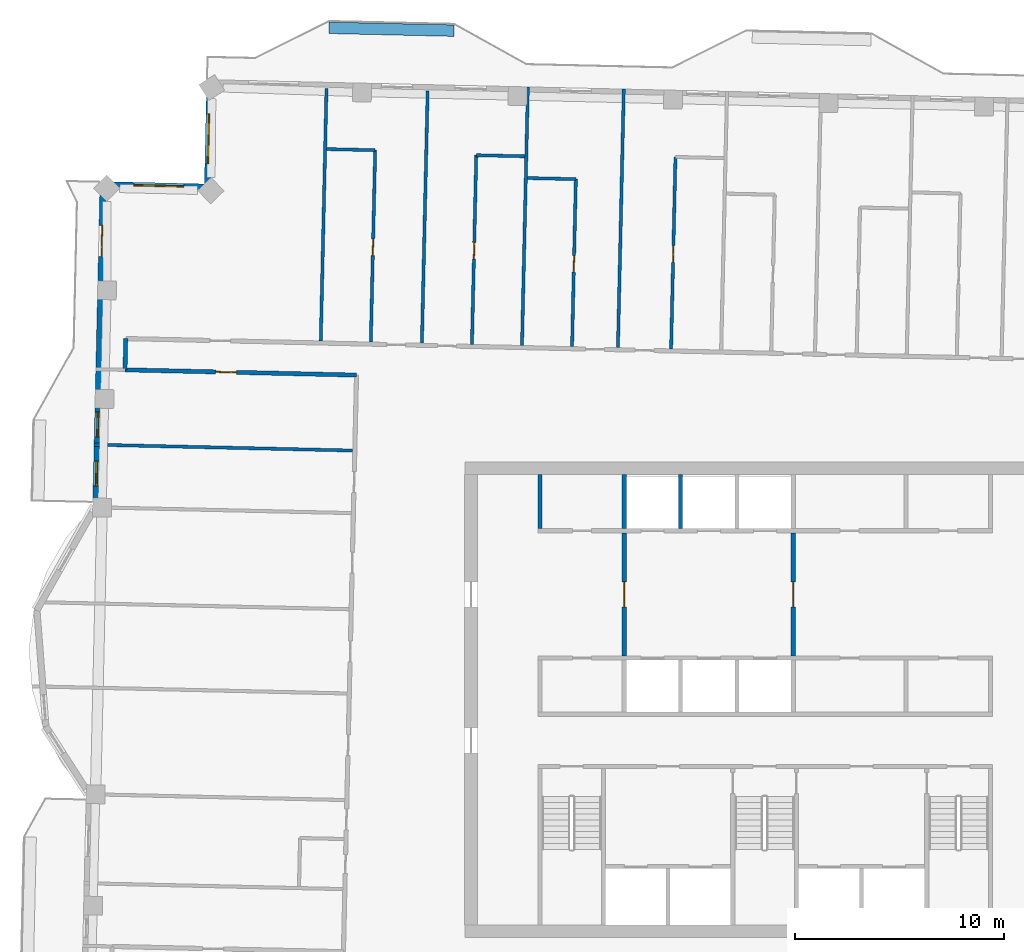
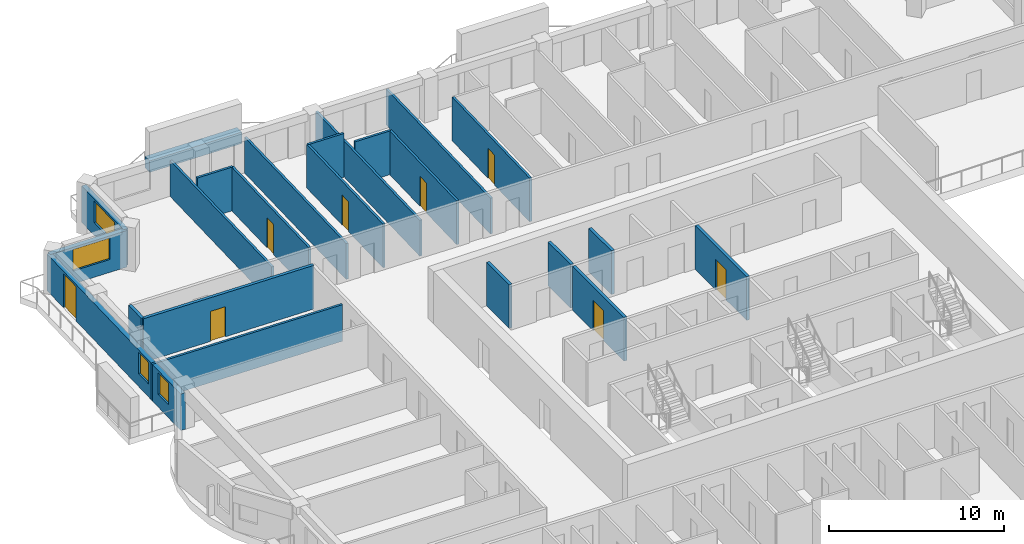
# One storey, part 8 of 15: 23 walls, 8 doors, 4 windows, 12 openings.
"""IFC4 building model written with IfcOpenShell, lengths in metres."""

from ifc_helpers import new_model, si_unit, direction, frame, frame_2d, origin, place, context, subcontext, project, spatial, rectangle, extrude, material, layer, layer_set, type_object, element, fill, save


model = new_model("IFC4")

# Units and contexts
model_context = context("Model", 3, precision=1e-05, world=origin(), true_north=direction((0.0, 1.0)))
body_context = subcontext(model_context, "Body", "Model", "MODEL_VIEW")
ifc_project = project(units=[si_unit("LENGTHUNIT", "METRE"), si_unit("AREAUNIT", "SQUARE_METRE"), si_unit("VOLUMEUNIT", "CUBIC_METRE"), si_unit("PLANEANGLEUNIT", "RADIAN"), si_unit("MASSUNIT", "GRAM", prefix="KILO")], contexts=[model_context])

# Site, building, storey
site_placement = place(None, origin())
site = spatial("IfcSite", under=ifc_project, at=site_placement, CompositionType="ELEMENT")
building_placement = place(site_placement, origin())
building = spatial("IfcBuilding", under=site, at=building_placement, Name="Mangrove Gate Tower", CompositionType="ELEMENT")
storey_placement = place(building_placement, frame((0.0, 0.0, 309.699951171875)))
storey = spatial("IfcBuildingStorey", under=building, at=storey_placement, Name="L79", CompositionType="ELEMENT", Elevation=309.699951171875)

# Wall, opening, door
ifc_material_1 = material(Name="Concrete C32/40", Category="concrete")
ifc_layer_1 = layer(ifc_material_1, 0.199951171875)
ifc_layer_set_1 = layer_set([ifc_layer_1], Name="Core lobby wall 200 C32/40")
wall_type_1 = type_object("IfcWallType", Name="Core lobby wall 200 C32/40", PredefinedType="STANDARD", material=ifc_layer_set_1)
wall_1_placement = place(storey_placement, frame((-6.75, 2.10009765625, 0.0), z_axis=(0.0, 0.0, 1.0), x_axis=(0.0, 1.0, 0.0)))
wall_1 = element("IfcWall", 1, at=wall_1_placement, inside=storey, type_object=wall_type_1, Name="WALL-L79-CORE-33", PredefinedType="STANDARD", context=body_context, shape_type="SweptSolid", body=[
    extrude(rectangle(XDim=5.89990234375, YDim=0.199951171875, at=frame_2d((2.949951171875, 0.0))), origin(), (0.0, 0.0, 1.0), 3.050048828125),
])
opening_1_placement = place(wall_1_placement, frame((2.35009765625, 0.0, 0.0)))
opening_1 = element("IfcOpeningElement", 2, at=opening_1_placement, cuts=wall_1, Name="Opening FL12", PredefinedType="OPENING", context=body_context, shape_type="SweptSolid", body=[
    extrude(rectangle(XDim=1.199951171875, YDim=2.10009765625, at=frame_2d((0.60009765625, 1.050048828125))), frame((0.0, 0.10986328125, 0.0), z_axis=(0.0, -1.0, 0.0), x_axis=(1.0, 0.0, 0.0)), (0.0, 0.0, 1.0), 0.219970703125),
])
ifc_material_2 = material(Name="Fire-rated steel door set", Category="steel")
door_type_1 = type_object("IfcDoorType", Name="Lobby door FD60 1200x2100", OperationType="SINGLE_SWING_LEFT", PredefinedType="DOOR", material=ifc_material_2)
door_1_placement = place(opening_1_placement, origin())
door_1 = element("IfcDoor", 3, at=door_1_placement, inside=storey, type_object=door_type_1, Name="Lobby door lift lobby partition", OperationType="SINGLE_SWING_LEFT", OverallHeight=2.10009765625, OverallWidth=1.199951171875, PredefinedType="DOOR", context=body_context, shape_type="SweptSolid", body=[
    extrude(rectangle(XDim=1.199951171875, YDim=2.10009765625, at=frame_2d((0.60009765625, 1.050048828125))), frame((0.0, 0.02490234375, 0.0), z_axis=(0.0, -1.0, 0.0), x_axis=(1.0, 0.0, 0.0)), (0.0, 0.0, 1.0), 0.050048828125),
])
fill(opening_1, door_1)

wall_2_placement = place(storey_placement, frame((1.35009765625, 2.10009765625, 0.0), z_axis=(0.0, 0.0, 1.0), x_axis=(0.0, 1.0, 0.0)))
wall_2 = element("IfcWall", 4, at=wall_2_placement, inside=storey, type_object=wall_type_1, Name="WALL-L79-CORE-34", PredefinedType="STANDARD", context=body_context, shape_type="SweptSolid", body=[
    extrude(rectangle(XDim=5.89990234375, YDim=0.199951171875, at=frame_2d((2.949951171875, 0.0))), origin(), (0.0, 0.0, 1.0), 3.050048828125),
])
opening_2_placement = place(wall_2_placement, frame((2.35009765625, 0.0, 0.0)))
opening_2 = element("IfcOpeningElement", 5, at=opening_2_placement, cuts=wall_2, Name="Opening FL12", PredefinedType="OPENING", context=body_context, shape_type="SweptSolid", body=[
    extrude(rectangle(XDim=1.199951171875, YDim=2.10009765625, at=frame_2d((0.60009765625, 1.050048828125))), frame((0.0, 0.10986328125, 0.0), z_axis=(0.0, -1.0, 0.0), x_axis=(1.0, 0.0, 0.0)), (0.0, 0.0, 1.0), 0.219970703125),
])
door_2_placement = place(opening_2_placement, origin())
door_2 = element("IfcDoor", 6, at=door_2_placement, inside=storey, type_object=door_type_1, Name="Lobby door lift lobby partition", OperationType="SINGLE_SWING_LEFT", OverallHeight=2.10009765625, OverallWidth=1.199951171875, PredefinedType="DOOR", context=body_context, shape_type="SweptSolid", body=[
    extrude(rectangle(XDim=1.199951171875, YDim=2.10009765625, at=frame_2d((0.60009765625, 1.050048828125))), frame((0.0, 0.02490234375, 0.0), z_axis=(0.0, -1.0, 0.0), x_axis=(1.0, 0.0, 0.0)), (0.0, 0.0, 1.0), 0.050048828125),
])
fill(opening_2, door_2)

# Walls
ifc_material_3 = material(Name="Concrete C32/40", Category="concrete")
ifc_layer_2 = layer(ifc_material_3, 0.199951171875)
ifc_layer_set_2 = layer_set([ifc_layer_2], Name="Core room wall 200 C32/40")
wall_type_2 = type_object("IfcWallType", Name="Core room wall 200 C32/40", PredefinedType="STANDARD", material=ifc_layer_set_2)
wall_3_placement = place(storey_placement, frame((-10.800048828125, 8.199951171875, 0.0), z_axis=(0.0, 0.0, 1.0), x_axis=(0.0, 1.0, 0.0)))
element("IfcWall", 7, at=wall_3_placement, inside=storey, type_object=wall_type_2, Name="WALL-L79-CORE-26", PredefinedType="STANDARD", context=body_context, shape_type="SweptSolid", body=[
    extrude(rectangle(XDim=2.60009765625, YDim=0.199951171875, at=frame_2d((1.300048828125, 0.0))), origin(), (0.0, 0.0, 1.0), 3.050048828125),
])
ifc_material_4 = material(Name="Concrete C50/60", Category="concrete")
ifc_layer_3 = layer(ifc_material_4, 0.199951171875)
ifc_layer_set_3 = layer_set([ifc_layer_3], Name="Core shaft wall 200 C50/60")
wall_type_3 = type_object("IfcWallType", Name="Core shaft wall 200 C50/60", PredefinedType="SHEAR", material=ifc_layer_set_3)
for number, where, z_axis, x_axis, name in (
    (8, (-6.75, 8.199951171875, 0.0), (0.0, 0.0, 1.0), (0.0, 1.0, 0.0), "WALL-L79-CORE-27"),
    (9, (-4.050048828125, 8.199951171875, 0.0), (0.0, 0.0, 1.0), (0.0, 1.0, 0.0), "WALL-L79-CORE-28"),
):
    element("IfcWall", number, at=place(storey_placement, frame(where, z_axis=z_axis, x_axis=x_axis)), inside=storey, type_object=wall_type_3, Name=name, PredefinedType="SHEAR", context=body_context, shape_type="SweptSolid", body=[
        extrude(rectangle(XDim=2.60009765625, YDim=0.199951171875, at=frame_2d((1.300048828125, 0.0))), origin(), (0.0, 0.0, 1.0), 3.050048828125),
    ])

# Wall, opening, door
ifc_material_5 = material(Name="Gypsum board on steel stud, EI 60", Category="steel")
ifc_layer_4 = layer(ifc_material_5, 0.199951171875)
ifc_layer_set_4 = layer_set([ifc_layer_4], Name="Corridor wall EI 60")
wall_type_4 = type_object("IfcWallType", Name="Corridor wall EI 60", PredefinedType="PARTITIONING", material=ifc_layer_set_4)
wall_4_placement = place(storey_placement, frame((-30.68603515625, 15.81396484375, 0.0), z_axis=(0.0, 0.0, 1.0), x_axis=(0.999742346277, -0.022698921993, 0.0)))
wall_4 = element("IfcWall", 10, at=wall_4_placement, inside=storey, type_object=wall_type_4, Name="WALL-L79-053", PredefinedType="PARTITIONING", context=body_context, shape_type="SweptSolid", body=[
    extrude(rectangle(XDim=11.099853515625, YDim=0.199951171875, at=frame_2d((5.5498046875, 0.0))), origin(), (0.0, 0.0, 1.0), 3.050048828125),
])
opening_3_placement = place(wall_4_placement, frame((4.35009765625, 0.0, 0.0)))
opening_3 = element("IfcOpeningElement", 11, at=opening_3_placement, cuts=wall_4, Name="Opening AD", PredefinedType="OPENING", context=body_context, shape_type="SweptSolid", body=[
    extrude(rectangle(XDim=1.0, YDim=2.10009765625, at=frame_2d((0.5, 1.050048828125))), frame((0.0, 0.10986328125, 0.0), z_axis=(0.0, -1.0, 0.0), x_axis=(1.0, 0.0, 0.0)), (0.0, 0.0, 1.0), 0.219970703125),
])
ifc_material_6 = material(Name="Timber door leaf", Category="wood")
door_type_2 = type_object("IfcDoorType", Name="Amenity door 1000", OperationType="SINGLE_SWING_LEFT", PredefinedType="DOOR", material=ifc_material_6)
door_3_placement = place(opening_3_placement, origin())
door_3 = element("IfcDoor", 12, at=door_3_placement, inside=storey, type_object=door_type_2, Name="DOOR-L79-KIT-c5b", OperationType="SINGLE_SWING_LEFT", OverallHeight=2.10009765625, OverallWidth=1.0, PredefinedType="DOOR", context=body_context, shape_type="SweptSolid", body=[
    extrude(rectangle(XDim=1.0, YDim=2.10009765625, at=frame_2d((0.5, 1.050048828125))), frame((0.0, 0.02490234375, 0.0), z_axis=(0.0, -1.0, 0.0), x_axis=(1.0, 0.0, 0.0)), (0.0, 0.0, 1.0), 0.050048828125),
])
fill(opening_3, door_3)

# Wall
wall_5_placement = place(storey_placement, frame((-30.68603515625, 15.81396484375, 0.0), z_axis=(0.0, 0.0, 1.0), x_axis=(0.022632637625, 0.99974384905, 0.0)))
element("IfcWall", 13, at=wall_5_placement, inside=storey, type_object=wall_type_4, Name="WALL-L79-054", PredefinedType="PARTITIONING", context=body_context, shape_type="SweptSolid", body=[
    extrude(rectangle(XDim=1.49951171875, YDim=0.199951171875, at=frame_2d((0.749755859375, 0.0))), origin(), (0.0, 0.0, 1.0), 3.050048828125),
])

# Wall, opening, window
ifc_material_7 = material(Name="Limestone", Category="masonry")
ifc_layer_5 = layer(ifc_material_7, 0.0400390625, Name="Limestone cladding")
ifc_material_8 = material(Name="Ventilated air gap")
ifc_layer_6 = layer(ifc_material_8, 0.0400390625, Name="Ventilated cavity")
ifc_material_9 = material(Name="Mineral wool insulation")
ifc_layer_7 = layer(ifc_material_9, 0.06005859375, Name="Insulation")
ifc_material_10 = material(Name="Breather membrane")
ifc_layer_8 = layer(ifc_material_10, 0.001953125, Name="Breather membrane")
ifc_material_11 = material(Name="Concrete C20/25 blockwork", Category="masonry")
ifc_layer_9 = layer(ifc_material_11, 0.14990234375, Name="Blockwork backing wall")
ifc_material_12 = material(Name="Gypsum plaster")
ifc_layer_10 = layer(ifc_material_12, 0.008056640625, Name="Internal plaster")
ifc_layer_set_5 = layer_set([ifc_layer_5, ifc_layer_6, ifc_layer_7, ifc_layer_8, ifc_layer_9, ifc_layer_10], Name="External wall 300 limestone cladding")
wall_type_5 = type_object("IfcWallType", Name="External wall 300 limestone cladding", PredefinedType="SOLIDWALL", material=ifc_layer_set_5)
wall_6_placement = place(storey_placement, frame((-26.623046875, 29.574951171875, 0.0), z_axis=(0.0, 0.0, 1.0), x_axis=(-0.022606059803, -0.999744450377, 0.0)))
wall_6 = element("IfcWall", 14, at=wall_6_placement, inside=storey, type_object=wall_type_5, Name="WALL-L79-W6", PredefinedType="SOLIDWALL", context=body_context, shape_type="SweptSolid", body=[
    extrude(rectangle(XDim=5.000244140625, YDim=0.300048828125, at=frame_2d((2.5, 0.0))), origin(), (0.0, 0.0, 1.0), 2.550048828125),
])
opening_4_placement = place(wall_6_placement, frame((1.489990234375, 0.0, 0.89990234375)))
opening_4 = element("IfcOpeningElement", 15, at=opening_4_placement, cuts=wall_6, Name="Opening W2", PredefinedType="OPENING", context=body_context, shape_type="SweptSolid", body=[
    extrude(rectangle(XDim=2.39990234375, YDim=1.5, at=frame_2d((1.199951171875, 0.75))), frame((0.0, 0.159912109375, 0.0), z_axis=(0.0, -1.0, 0.0), x_axis=(1.0, 0.0, 0.0)), (0.0, 0.0, 1.0), 0.320068359375),
])
ifc_material_13 = material(Name="Aluminium frame with double-glazed low-e glass", Category="aluminium")
window_type_1 = type_object("IfcWindowType", Name="Corner room window 2400x1500", PartitioningType="DOUBLE_PANEL_VERTICAL", PredefinedType="WINDOW", material=ifc_material_13)
window_1_placement = place(opening_4_placement, origin())
window_1 = element("IfcWindow", 16, at=window_1_placement, inside=storey, type_object=window_type_1, Name="WIN-L79-W6-1", OverallHeight=1.5, OverallWidth=2.39990234375, PartitioningType="DOUBLE_PANEL_VERTICAL", PredefinedType="WINDOW", context=body_context, shape_type="SweptSolid", body=[
    extrude(rectangle(XDim=2.39990234375, YDim=1.5, at=frame_2d((1.199951171875, 0.75))), frame((0.0, 0.030029296875, 0.0), z_axis=(0.0, -1.0, 0.0), x_axis=(1.0, 0.0, 0.0)), (0.0, 0.0, 1.0), 0.06005859375),
])
fill(opening_4, window_1)

wall_7_placement = place(storey_placement, frame((-26.736083984375, 24.575927734375, 0.0), z_axis=(0.0, 0.0, 1.0), x_axis=(-0.999740017489, 0.022801259434, 0.0)))
wall_7 = element("IfcWall", 17, at=wall_7_placement, inside=storey, type_object=wall_type_5, Name="WALL-L79-N7", PredefinedType="SOLIDWALL", context=body_context, shape_type="SweptSolid", body=[
    extrude(rectangle(XDim=5.000244140625, YDim=0.300048828125, at=frame_2d((2.5, 0.0))), origin(), (0.0, 0.0, 1.0), 2.550048828125),
])
opening_5_placement = place(wall_7_placement, frame((1.12890625, 0.0, 0.89990234375)))
opening_5 = element("IfcOpeningElement", 18, at=opening_5_placement, cuts=wall_7, Name="Opening W2", PredefinedType="OPENING", context=body_context, shape_type="SweptSolid", body=[
    extrude(rectangle(XDim=2.39990234375, YDim=1.5, at=frame_2d((1.199951171875, 0.75))), frame((0.0, 0.159912109375, 0.0), z_axis=(0.0, -1.0, 0.0), x_axis=(1.0, 0.0, 0.0)), (0.0, 0.0, 1.0), 0.320068359375),
])
window_2_placement = place(opening_5_placement, origin())
window_2 = element("IfcWindow", 19, at=window_2_placement, inside=storey, type_object=window_type_1, Name="WIN-L79-N7-1", OverallHeight=1.5, OverallWidth=2.39990234375, PartitioningType="DOUBLE_PANEL_VERTICAL", PredefinedType="WINDOW", context=body_context, shape_type="SweptSolid", body=[
    extrude(rectangle(XDim=2.39990234375, YDim=1.5, at=frame_2d((1.199951171875, 0.75))), frame((0.0, 0.030029296875, 0.0), z_axis=(0.0, -1.0, 0.0), x_axis=(1.0, 0.0, 0.0)), (0.0, 0.0, 1.0), 0.06005859375),
])
fill(opening_5, window_2)

# Wall, openings, door, windows
wall_8_placement = place(storey_placement, frame((-31.735107421875, 24.68994140625, 0.0), z_axis=(0.0, 0.0, 1.0), x_axis=(-0.022658721334, -0.999743258216, 0.0)))
wall_8 = element("IfcWall", 20, at=wall_8_placement, inside=storey, type_object=wall_type_5, Name="WALL-L79-W8s1", PredefinedType="SOLIDWALL", context=body_context, shape_type="SweptSolid", body=[
    extrude(rectangle(XDim=15.925048828125, YDim=0.300048828125, at=frame_2d((7.96240234375, 0.0))), origin(), (0.0, 0.0, 1.0), 2.550048828125),
])
opening_6_placement = place(wall_8_placement, frame((1.952880859375, 0.0, 0.0)))
opening_6 = element("IfcOpeningElement", 21, at=opening_6_placement, cuts=wall_8, Name="Opening BD1", PredefinedType="OPENING", context=body_context, shape_type="SweptSolid", body=[
    extrude(rectangle(XDim=1.5, YDim=2.39990234375, at=frame_2d((0.75, 1.199951171875))), frame((0.0, 0.159912109375, 0.0), z_axis=(0.0, -1.0, 0.0), x_axis=(1.0, 0.0, 0.0)), (0.0, 0.0, 1.0), 0.320068359375),
])
opening_7_placement = place(wall_8_placement, frame((10.89599609375, 0.0, 0.89990234375)))
opening_7 = element("IfcOpeningElement", 22, at=opening_7_placement, cuts=wall_8, Name="Opening W1", PredefinedType="OPENING", context=body_context, shape_type="SweptSolid", body=[
    extrude(rectangle(XDim=1.199951171875, YDim=1.5, at=frame_2d((0.60009765625, 0.75))), frame((0.0, 0.159912109375, 0.0), z_axis=(0.0, -1.0, 0.0), x_axis=(1.0, 0.0, 0.0)), (0.0, 0.0, 1.0), 0.320068359375),
])
opening_8_placement = place(wall_8_placement, frame((13.25, 0.0, 0.89990234375)))
opening_8 = element("IfcOpeningElement", 23, at=opening_8_placement, cuts=wall_8, Name="Opening W1", PredefinedType="OPENING", context=body_context, shape_type="SweptSolid", body=[
    extrude(rectangle(XDim=1.199951171875, YDim=1.5, at=frame_2d((0.60009765625, 0.75))), frame((0.0, 0.159912109375, 0.0), z_axis=(0.0, -1.0, 0.0), x_axis=(1.0, 0.0, 0.0)), (0.0, 0.0, 1.0), 0.320068359375),
])
ifc_material_14 = material(Name="Aluminium frame with laminated clear glass", Category="aluminium")
door_type_3 = type_object("IfcDoorType", Name="Balcony sliding door 1500x2400", OperationType="SLIDING_TO_LEFT", PredefinedType="DOOR", material=ifc_material_14)
door_4_placement = place(opening_6_placement, origin())
door_4 = element("IfcDoor", 24, at=door_4_placement, inside=storey, type_object=door_type_3, Name="DOOR-L79-W8-1", OperationType="SLIDING_TO_LEFT", OverallHeight=2.39990234375, OverallWidth=1.5, PredefinedType="DOOR", context=body_context, shape_type="SweptSolid", body=[
    extrude(rectangle(XDim=1.5, YDim=2.39990234375, at=frame_2d((0.75, 1.199951171875))), frame((0.0, 0.02490234375, 0.0), z_axis=(0.0, -1.0, 0.0), x_axis=(1.0, 0.0, 0.0)), (0.0, 0.0, 1.0), 0.050048828125),
])
fill(opening_6, door_4)
ifc_material_15 = material(Name="Aluminium frame with double-glazed low-e glass", Category="aluminium")
window_type_2 = type_object("IfcWindowType", Name="Side lite 1200x1500", PartitioningType="SINGLE_PANEL", PredefinedType="WINDOW", material=ifc_material_15)
window_3_placement = place(opening_7_placement, origin())
window_3 = element("IfcWindow", 25, at=window_3_placement, inside=storey, type_object=window_type_2, Name="WIN-L79-W8-2", OverallHeight=1.5, OverallWidth=1.199951171875, PartitioningType="SINGLE_PANEL", PredefinedType="WINDOW", context=body_context, shape_type="SweptSolid", body=[
    extrude(rectangle(XDim=1.199951171875, YDim=1.5, at=frame_2d((0.60009765625, 0.75))), frame((0.0, 0.030029296875, 0.0), z_axis=(0.0, -1.0, 0.0), x_axis=(1.0, 0.0, 0.0)), (0.0, 0.0, 1.0), 0.06005859375),
])
fill(opening_7, window_3)
window_4_placement = place(opening_8_placement, origin())
window_4 = element("IfcWindow", 26, at=window_4_placement, inside=storey, type_object=window_type_2, Name="WIN-L79-W8-3", OverallHeight=1.5, OverallWidth=1.199951171875, PartitioningType="SINGLE_PANEL", PredefinedType="WINDOW", context=body_context, shape_type="SweptSolid", body=[
    extrude(rectangle(XDim=1.199951171875, YDim=1.5, at=frame_2d((0.60009765625, 0.75))), frame((0.0, 0.030029296875, 0.0), z_axis=(0.0, -1.0, 0.0), x_axis=(1.0, 0.0, 0.0)), (0.0, 0.0, 1.0), 0.06005859375),
])
fill(opening_8, window_4)

# Walls
ifc_material_16 = material(Name="Gypsum board on steel stud, EI 60", Category="steel")
ifc_layer_11 = layer(ifc_material_16, 0.14990234375)
ifc_layer_set_6 = layer_set([ifc_layer_11], Name="Party wall 150 EI 60")
wall_type_6 = type_object("IfcWallType", Name="Party wall 150 EI 60", PredefinedType="PARTITIONING", material=ifc_layer_set_6)
wall_9_placement = place(storey_placement, frame((-32.16796875, 12.22607421875, 0.0), z_axis=(0.0, 0.0, 1.0), x_axis=(0.999743195783, -0.022661475803, 0.0)))
element("IfcWall", 27, at=wall_9_placement, inside=storey, type_object=wall_type_6, Name="WALL-L79-051", PredefinedType="PARTITIONING", context=body_context, shape_type="SweptSolid", body=[
    extrude(rectangle(XDim=12.400146484375, YDim=0.14990234375, at=frame_2d((6.2001953125, 0.0))), origin(), (0.0, 0.0, 1.0), 2.550048828125),
])
wall_10_placement = place(storey_placement, frame((-21.302001953125, 17.200927734375, 0.0), z_axis=(0.0, 0.0, 1.0), x_axis=(0.022637991173, 0.99974372784, 0.0)))
element("IfcWall", 28, at=wall_10_placement, inside=storey, type_object=wall_type_6, Name="WALL-L79-059", PredefinedType="PARTITIONING", context=body_context, shape_type="SweptSolid", body=[
    extrude(rectangle(XDim=12.100341796875, YDim=0.14990234375, at=frame_2d((6.05029296875, 0.0))), origin(), (0.0, 0.0, 1.0), 2.5),
])

# Wall, opening, door
wall_11_placement = place(storey_placement, frame((-18.903076171875, 17.14697265625, 0.0), z_axis=(0.0, 0.0, 1.0), x_axis=(0.022717185456, 0.999741931443, 0.0)))
wall_11 = element("IfcWall", 29, at=wall_11_placement, inside=storey, type_object=wall_type_6, Name="WALL-L79-060", PredefinedType="PARTITIONING", context=body_context, shape_type="SweptSolid", body=[
    extrude(rectangle(XDim=9.199462890625, YDim=0.14990234375, at=frame_2d((4.599609375, 0.0))), origin(), (0.0, 0.0, 1.0), 3.050048828125),
])
opening_9_placement = place(wall_11_placement, frame((4.14990234375, 0.0, 0.0)))
opening_9 = element("IfcOpeningElement", 30, at=opening_9_placement, cuts=wall_11, Name="Opening ED", PredefinedType="OPENING", context=body_context, shape_type="SweptSolid", body=[
    extrude(rectangle(XDim=0.800048828125, YDim=2.10009765625, at=frame_2d((0.39990234375, 1.050048828125))), frame((0.0, 0.0849609375, 0.0), z_axis=(0.0, -1.0, 0.0), x_axis=(1.0, 0.0, 0.0)), (0.0, 0.0, 1.0), 0.169921875),
])
ifc_material_17 = material(Name="Timber door leaf", Category="wood")
door_type_4 = type_object("IfcDoorType", Name="En-suite door 800", OperationType="SINGLE_SWING_LEFT", PredefinedType="DOOR", material=ifc_material_17)
door_5_placement = place(opening_9_placement, origin())
door_5 = element("IfcDoor", 31, at=door_5_placement, inside=storey, type_object=door_type_4, Name="DOOR-L79-ENS-c519", OperationType="SINGLE_SWING_LEFT", OverallHeight=2.10009765625, OverallWidth=0.800048828125, PredefinedType="DOOR", context=body_context, shape_type="SweptSolid", body=[
    extrude(rectangle(XDim=0.800048828125, YDim=2.10009765625, at=frame_2d((0.39990234375, 1.050048828125))), frame((0.0, 0.02490234375, 0.0), z_axis=(0.0, -1.0, 0.0), x_axis=(1.0, 0.0, 0.0)), (0.0, 0.0, 1.0), 0.050048828125),
])
fill(opening_9, door_5)

# Wall
wall_12_placement = place(storey_placement, frame((-16.4541015625, 17.091064453125, 0.0), z_axis=(0.0, 0.0, 1.0), x_axis=(0.02273928012, 0.99974142914, 0.0)))
element("IfcWall", 32, at=wall_12_placement, inside=storey, type_object=wall_type_6, Name="WALL-L79-061", PredefinedType="PARTITIONING", context=body_context, shape_type="SweptSolid", body=[
    extrude(rectangle(XDim=12.10009765625, YDim=0.14990234375, at=frame_2d((6.050048828125, 0.0))), origin(), (0.0, 0.0, 1.0), 2.5),
])

# Wall, opening, door
wall_13_placement = place(storey_placement, frame((-14.053955078125, 17.037109375, 0.0), z_axis=(0.0, 0.0, 1.0), x_axis=(0.022720182365, 0.999741863339, 0.0)))
wall_13 = element("IfcWall", 33, at=wall_13_placement, inside=storey, type_object=wall_type_6, Name="WALL-L79-062", PredefinedType="PARTITIONING", context=body_context, shape_type="SweptSolid", body=[
    extrude(rectangle(XDim=9.0693359375, YDim=0.14990234375, at=frame_2d((4.53466796875, 0.0))), origin(), (0.0, 0.0, 1.0), 3.050048828125),
])
opening_10_placement = place(wall_13_placement, frame((4.0849609375, 0.0, 0.0)))
opening_10 = element("IfcOpeningElement", 34, at=opening_10_placement, cuts=wall_13, Name="Opening ED", PredefinedType="OPENING", context=body_context, shape_type="SweptSolid", body=[
    extrude(rectangle(XDim=0.800048828125, YDim=2.10009765625, at=frame_2d((0.39990234375, 1.050048828125))), frame((0.0, 0.0849609375, 0.0), z_axis=(0.0, -1.0, 0.0), x_axis=(1.0, 0.0, 0.0)), (0.0, 0.0, 1.0), 0.169921875),
])
door_6_placement = place(opening_10_placement, origin())
door_6 = element("IfcDoor", 35, at=door_6_placement, inside=storey, type_object=door_type_4, Name="DOOR-L79-ENS-c518", OperationType="SINGLE_SWING_RIGHT", OverallHeight=2.10009765625, OverallWidth=0.800048828125, PredefinedType="DOOR", context=body_context, shape_type="SweptSolid", body=[
    extrude(rectangle(XDim=0.800048828125, YDim=2.10009765625, at=frame_2d((0.39990234375, 1.050048828125))), frame((0.0, 0.02490234375, 0.0), z_axis=(0.0, -1.0, 0.0), x_axis=(1.0, 0.0, 0.0)), (0.0, 0.0, 1.0), 0.050048828125),
])
fill(opening_10, door_6)

# Wall
wall_14_placement = place(storey_placement, frame((-11.655029296875, 16.98193359375, 0.0), z_axis=(0.0, 0.0, 1.0), x_axis=(0.022740189192, 0.999741408463, 0.0)))
element("IfcWall", 36, at=wall_14_placement, inside=storey, type_object=wall_type_6, Name="WALL-L79-063", PredefinedType="PARTITIONING", context=body_context, shape_type="SweptSolid", body=[
    extrude(rectangle(XDim=12.400146484375, YDim=0.14990234375, at=frame_2d((6.2001953125, 0.0))), origin(), (0.0, 0.0, 1.0), 2.5),
])

# Wall, opening, door
wall_15_placement = place(storey_placement, frame((-9.2548828125, 16.927978515625, 0.0), z_axis=(0.0, 0.0, 1.0), x_axis=(0.022650271266, 0.999743449697, 0.0)))
wall_15 = element("IfcWall", 37, at=wall_15_placement, inside=storey, type_object=wall_type_6, Name="WALL-L79-064", PredefinedType="PARTITIONING", context=body_context, shape_type="SweptSolid", body=[
    extrude(rectangle(XDim=8.030029296875, YDim=0.14990234375, at=frame_2d((4.01513671875, 0.0))), origin(), (0.0, 0.0, 1.0), 3.050048828125),
])
opening_11_placement = place(wall_15_placement, frame((3.56494140625, 0.0, 0.0)))
opening_11 = element("IfcOpeningElement", 38, at=opening_11_placement, cuts=wall_15, Name="Opening ED", PredefinedType="OPENING", context=body_context, shape_type="SweptSolid", body=[
    extrude(rectangle(XDim=0.800048828125, YDim=2.10009765625, at=frame_2d((0.39990234375, 1.050048828125))), frame((0.0, 0.0849609375, 0.0), z_axis=(0.0, -1.0, 0.0), x_axis=(1.0, 0.0, 0.0)), (0.0, 0.0, 1.0), 0.169921875),
])
door_7_placement = place(opening_11_placement, origin())
door_7 = element("IfcDoor", 39, at=door_7_placement, inside=storey, type_object=door_type_4, Name="DOOR-L79-ENS-c517", OperationType="SINGLE_SWING_LEFT", OverallHeight=2.10009765625, OverallWidth=0.800048828125, PredefinedType="DOOR", context=body_context, shape_type="SweptSolid", body=[
    extrude(rectangle(XDim=0.800048828125, YDim=2.10009765625, at=frame_2d((0.39990234375, 1.050048828125))), frame((0.0, 0.02490234375, 0.0), z_axis=(0.0, -1.0, 0.0), x_axis=(1.0, 0.0, 0.0)), (0.0, 0.0, 1.0), 0.050048828125),
])
fill(opening_11, door_7)

# Wall
wall_16_placement = place(storey_placement, frame((-7.055908203125, 16.8779296875, 0.0), z_axis=(0.0, 0.0, 1.0), x_axis=(0.022661475803, 0.999743195783, 0.0)))
element("IfcWall", 40, at=wall_16_placement, inside=storey, type_object=wall_type_6, Name="WALL-L79-065", PredefinedType="PARTITIONING", context=body_context, shape_type="SweptSolid", body=[
    extrude(rectangle(XDim=12.400146484375, YDim=0.14990234375, at=frame_2d((6.2001953125, 0.0))), origin(), (0.0, 0.0, 1.0), 2.5),
])

# Wall, opening, door
wall_17_placement = place(storey_placement, frame((-4.507080078125, 16.820068359375, 0.0), z_axis=(0.0, 0.0, 1.0), x_axis=(0.022717185456, 0.999741931443, 0.0)))
wall_17 = element("IfcWall", 41, at=wall_17_placement, inside=storey, type_object=wall_type_6, Name="WALL-L79-066", PredefinedType="PARTITIONING", context=body_context, shape_type="SweptSolid", body=[
    extrude(rectangle(XDim=9.199462890625, YDim=0.14990234375, at=frame_2d((4.599609375, 0.0))), origin(), (0.0, 0.0, 1.0), 3.050048828125),
])
opening_12_placement = place(wall_17_placement, frame((4.14990234375, 0.0, 0.0)))
opening_12 = element("IfcOpeningElement", 42, at=opening_12_placement, cuts=wall_17, Name="Opening ED", PredefinedType="OPENING", context=body_context, shape_type="SweptSolid", body=[
    extrude(rectangle(XDim=0.800048828125, YDim=2.10009765625, at=frame_2d((0.39990234375, 1.050048828125))), frame((0.0, 0.0849609375, 0.0), z_axis=(0.0, -1.0, 0.0), x_axis=(1.0, 0.0, 0.0)), (0.0, 0.0, 1.0), 0.169921875),
])
door_8_placement = place(opening_12_placement, origin())
door_8 = element("IfcDoor", 43, at=door_8_placement, inside=storey, type_object=door_type_4, Name="DOOR-L79-ENS-c416", OperationType="SINGLE_SWING_RIGHT", OverallHeight=2.10009765625, OverallWidth=0.800048828125, PredefinedType="DOOR", context=body_context, shape_type="SweptSolid", body=[
    extrude(rectangle(XDim=0.800048828125, YDim=2.10009765625, at=frame_2d((0.39990234375, 1.050048828125))), frame((0.0, 0.02490234375, 0.0), z_axis=(0.0, -1.0, 0.0), x_axis=(1.0, 0.0, 0.0)), (0.0, 0.0, 1.0), 0.050048828125),
])
fill(opening_12, door_8)

# Walls
wall_18_placement = place(storey_placement, frame((-11.39794921875, 25.008056640625, 0.0), z_axis=(0.0, 0.0, 1.0), x_axis=(0.999749954681, -0.022361308448, 0.0)))
element("IfcWall", 44, at=wall_18_placement, inside=storey, type_object=wall_type_6, Name="WALL-L79-082", PredefinedType="PARTITIONING", context=body_context, shape_type="SweptSolid", body=[
    extrude(rectangle(XDim=2.325439453125, YDim=0.14990234375, at=frame_2d((1.16259765625, 0.0))), origin(), (0.0, 0.0, 1.0), 3.050048828125),
])
wall_19_placement = place(storey_placement, frame((-13.847900390625, 26.10400390625, 0.0), z_axis=(0.0, 0.0, 1.0), x_axis=(0.999740260747, -0.02279059109, 0.0)))
element("IfcWall", 45, at=wall_19_placement, inside=storey, type_object=wall_type_6, Name="WALL-L79-083", PredefinedType="PARTITIONING", context=body_context, shape_type="SweptSolid", body=[
    extrude(rectangle(XDim=2.324462890625, YDim=0.14990234375, at=frame_2d((1.162109375, 0.0))), origin(), (0.0, 0.0, 1.0), 3.050048828125),
])
wall_20_placement = place(storey_placement, frame((-21.01904296875, 26.39697265625, 0.0), z_axis=(0.0, 0.0, 1.0), x_axis=(0.999740478815, -0.022781023197, 0.0)))
element("IfcWall", 46, at=wall_20_placement, inside=storey, type_object=wall_type_6, Name="WALL-L79-084", PredefinedType="PARTITIONING", context=body_context, shape_type="SweptSolid", body=[
    extrude(rectangle(XDim=2.325439453125, YDim=0.14990234375, at=frame_2d((1.16259765625, 0.0))), origin(), (0.0, 0.0, 1.0), 3.050048828125),
])
ifc_material_18 = material(Name="Concrete C32/40", Category="concrete")
ifc_layer_12 = layer(ifc_material_18, 0.199951171875, Name="Planter trough wall")
ifc_material_19 = material(Name="Bituminous waterproofing membrane")
ifc_layer_13 = layer(ifc_material_19, 0.0048828125, Name="Waterproofing")
ifc_material_20 = material(Name="Drainage board and gravel")
ifc_layer_14 = layer(ifc_material_20, 0.044921875, Name="Drainage layer")
ifc_material_21 = material(Name="Planting soil")
ifc_layer_15 = layer(ifc_material_21, 0.300048828125, Name="Growing medium")
ifc_layer_set_7 = layer_set([ifc_layer_12, ifc_layer_13, ifc_layer_14, ifc_layer_15], Name="Planter wall 550 C32/40")
wall_type_7 = type_object("IfcWallType", Name="Planter wall 550 C32/40", PredefinedType="USERDEFINED", material=ifc_layer_set_7)
wall_21_placement = place(storey_placement, frame((-20.910888671875, 32.2109375, 0.0), z_axis=(0.0, 0.0, 1.0), x_axis=(0.999743073592, -0.022666865795, 0.0)))
element("IfcWall", 47, at=wall_21_placement, inside=storey, type_object=wall_type_7, Name="PLANTER L79 N1.1", ObjectType="PLANTER", PredefinedType="USERDEFINED", context=body_context, shape_type="SweptSolid", body=[
    extrude(rectangle(XDim=5.999267578125, YDim=0.550048828125, at=frame_2d((2.99951171875, 0.0))), origin(), (0.0, 0.0, 1.0), 0.800048828125),
])

save(model, "model.ifc")
